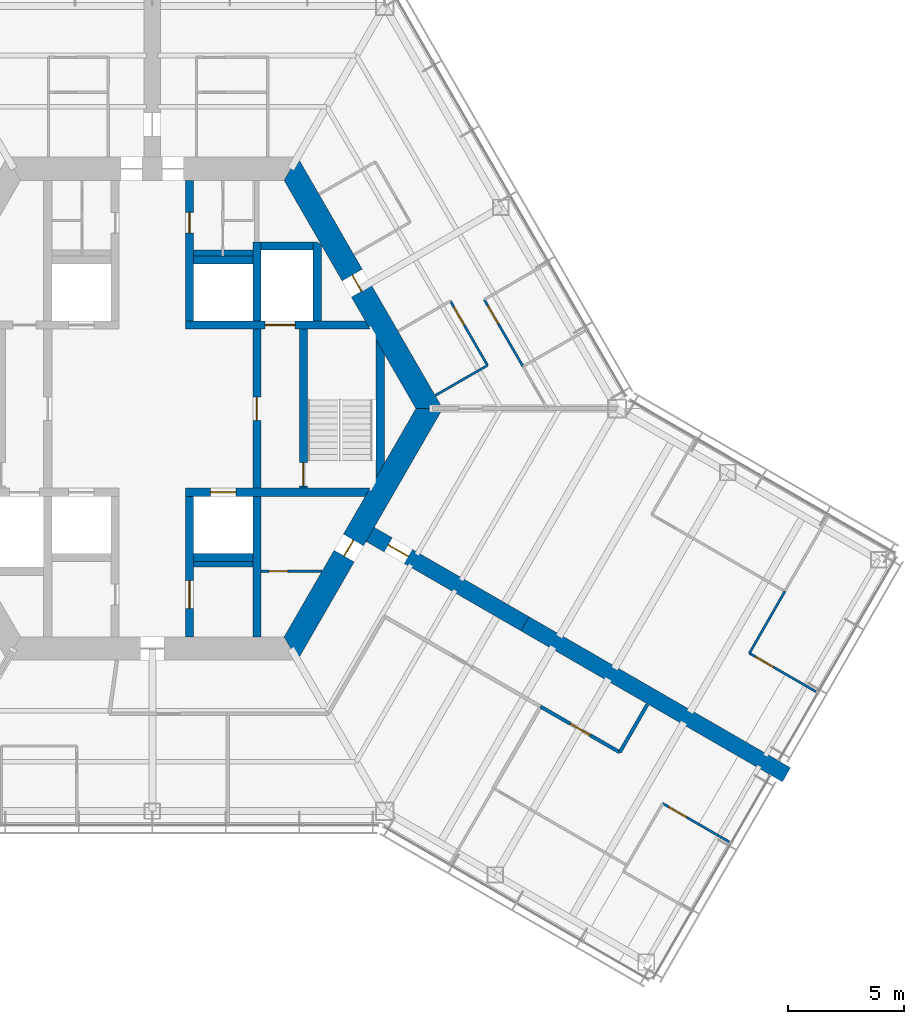
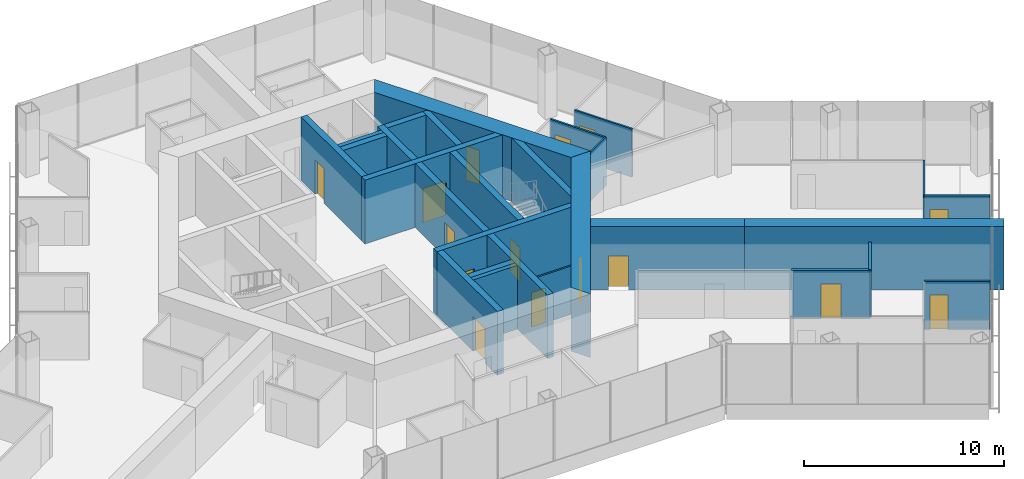
# One storey, part 13 of 18: 28 walls, 15 doors, 15 openings.
"""IFC4 building model written with IfcOpenShell, lengths in metres."""

from ifc_helpers import new_model, si_unit, direction, frame, frame_2d, origin, place, context, subcontext, project, spatial, polyline, rectangle, outline, extrude, material, layer, layer_set, type_object, element, fill, save


model = new_model("IFC4")

# Units and contexts
model_context = context("Model", 3, precision=1e-05, world=origin(), true_north=direction((0.0, 1.0)))
body_context = subcontext(model_context, "Body", "Model", "MODEL_VIEW")
ifc_project = project(units=[si_unit("LENGTHUNIT", "METRE"), si_unit("AREAUNIT", "SQUARE_METRE"), si_unit("VOLUMEUNIT", "CUBIC_METRE"), si_unit("PLANEANGLEUNIT", "RADIAN"), si_unit("MASSUNIT", "GRAM", prefix="KILO")], contexts=[model_context])

# Site, building, storey
site_placement = place(None, origin())
site = spatial("IfcSite", under=ifc_project, at=site_placement, CompositionType="ELEMENT")
building_placement = place(site_placement, origin())
building = spatial("IfcBuilding", under=site, at=building_placement, Name="Kasaneha Research Tower", CompositionType="ELEMENT")
storey_placement = place(building_placement, frame((0.0, 0.0, 176.0)))
storey = spatial("IfcBuildingStorey", under=building, at=storey_placement, Name="L44", CompositionType="ELEMENT", Elevation=176.0)

# Wall, opening, door
ifc_material_1 = material(Name="Concrete Fc70", Category="concrete")
ifc_layer_1 = layer(ifc_material_1, 0.35009765625)
ifc_layer_set_1 = layer_set([ifc_layer_1], Name="Core internal wall 350 Fc70")
wall_type_1 = type_object("IfcWallType", Name="Core internal wall 350 Fc70", PredefinedType="SHEAR", material=ifc_layer_set_1)
wall_1_placement = place(storey_placement, frame((1.425048828125, 3.60009765625, 0.0), z_axis=(0.0, 0.0, 1.0), x_axis=(1.0, 0.0, 0.0)))
wall_1 = element("IfcWall", 1, at=wall_1_placement, inside=storey, type_object=wall_type_1, Name="Core wall W1E L44", PredefinedType="SHEAR", context=body_context, shape_type="SweptSolid", body=[
    extrude(outline(polyline([(0.0, -0.175048828125), (3.425048828125, -0.175048828125), (4.72509765625, -0.175048828125), (7.9423828125, -0.175048828125), (7.740234375, 0.175048828125), (4.72509765625, 0.175048828125), (3.425048828125, 0.175048828125), (0.0, 0.175048828125), (0.0, -0.175048828125)])), origin(), (0.0, 0.0, 1.0), 3.89990234375),
])
opening_1_placement = place(wall_1_placement, frame((3.425048828125, 0.0, 0.0)))
opening_1 = element("IfcOpeningElement", 2, at=opening_1_placement, cuts=wall_1, Name="Opening LD-FL1-L44", PredefinedType="OPENING", context=body_context, shape_type="SweptSolid", body=[
    extrude(rectangle(XDim=1.300048828125, YDim=2.10009765625, at=frame_2d((0.64990234375, 1.050048828125))), frame((0.0, 0.18505859375, 0.0), z_axis=(0.0, -1.0, 0.0), x_axis=(1.0, 0.0, 0.0)), (0.0, 0.0, 1.0), 0.3701171875),
])
ifc_material_2 = material(Name="Steel", Category="steel")
door_type_1 = type_object("IfcDoorType", Name="Lift landing door 1300x2100", OperationType="DOUBLE_DOOR_SLIDING", PredefinedType="DOOR", material=ifc_material_2)
door_1_placement = place(opening_1_placement, origin())
door_1 = element("IfcDoor", 3, at=door_1_placement, inside=storey, type_object=door_type_1, Name="Landing door FL1 LD-FL1-L44", OperationType="DOUBLE_DOOR_SLIDING", OverallHeight=2.10009765625, OverallWidth=1.300048828125, PredefinedType="DOOR", context=body_context, shape_type="SweptSolid", body=[
    extrude(rectangle(XDim=1.300048828125, YDim=2.10009765625, at=frame_2d((0.64990234375, 1.050048828125))), frame((0.0, 0.02490234375, 0.0), z_axis=(0.0, -1.0, 0.0), x_axis=(1.0, 0.0, 0.0)), (0.0, 0.0, 1.0), 0.050048828125),
])
fill(opening_1, door_1)

wall_2_placement = place(storey_placement, frame((1.425048828125, -3.60009765625, 0.0), z_axis=(0.0, 0.0, 1.0), x_axis=(1.0, 0.0, 0.0)))
wall_2 = element("IfcWall", 4, at=wall_2_placement, inside=storey, type_object=wall_type_1, Name="Core wall W2E L44", PredefinedType="SHEAR", context=body_context, shape_type="SweptSolid", body=[
    extrude(outline(polyline([(0.0, -0.175048828125), (1.074951171875, -0.175048828125), (2.175048828125, -0.175048828125), (7.740234375, -0.175048828125), (7.9423828125, 0.175048828125), (2.175048828125, 0.175048828125), (1.074951171875, 0.175048828125), (0.0, 0.175048828125), (0.0, -0.175048828125)])), origin(), (0.0, 0.0, 1.0), 3.89990234375),
])
opening_2_placement = place(wall_2_placement, frame((1.074951171875, 0.0, 0.0)))
opening_2 = element("IfcOpeningElement", 5, at=opening_2_placement, cuts=wall_2, Name="Opening LD-LM2-L44", PredefinedType="OPENING", context=body_context, shape_type="SweptSolid", body=[
    extrude(rectangle(XDim=1.10009765625, YDim=2.10009765625, at=frame_2d((0.550048828125, 1.050048828125))), frame((0.0, 0.18505859375, 0.0), z_axis=(0.0, -1.0, 0.0), x_axis=(1.0, 0.0, 0.0)), (0.0, 0.0, 1.0), 0.3701171875),
])
ifc_material_3 = material(Name="Steel", Category="steel")
door_type_2 = type_object("IfcDoorType", Name="Lift landing door 1100x2100", OperationType="DOUBLE_DOOR_SLIDING", PredefinedType="DOOR", material=ifc_material_3)
door_2_placement = place(opening_2_placement, origin())
door_2 = element("IfcDoor", 6, at=door_2_placement, inside=storey, type_object=door_type_2, Name="Landing door LM2 LD-LM2-L44", OperationType="DOUBLE_DOOR_SLIDING", OverallHeight=2.10009765625, OverallWidth=1.10009765625, PredefinedType="DOOR", context=body_context, shape_type="SweptSolid", body=[
    extrude(rectangle(XDim=1.10009765625, YDim=2.10009765625, at=frame_2d((0.550048828125, 1.050048828125))), frame((0.0, 0.02490234375, 0.0), z_axis=(0.0, -1.0, 0.0), x_axis=(1.0, 0.0, 0.0)), (0.0, 0.0, 1.0), 0.050048828125),
])
fill(opening_2, door_2)

wall_3_placement = place(storey_placement, frame((1.60009765625, 3.77490234375, 0.0), z_axis=(0.0, 0.0, 1.0), x_axis=(0.0, 1.0, 0.0)))
wall_3 = element("IfcWall", 7, at=wall_3_placement, inside=storey, type_object=wall_type_1, Name="Core wall CNE L44", PredefinedType="SHEAR", context=body_context, shape_type="SweptSolid", body=[
    extrude(rectangle(XDim=6.050048828125, YDim=0.35009765625, at=frame_2d((3.02490234375, 0.0))), origin(), (0.0, 0.0, 1.0), 3.89990234375),
])
opening_3_placement = place(wall_3_placement, frame((3.77490234375, 0.0, 0.0)))
opening_3 = element("IfcOpeningElement", 8, at=opening_3_placement, cuts=wall_3, Name="Opening L44-D14", PredefinedType="OPENING", context=body_context, shape_type="SweptSolid", body=[
    extrude(rectangle(XDim=0.89990234375, YDim=2.10009765625, at=frame_2d((0.449951171875, 1.050048828125))), frame((0.0, 0.18505859375, 0.0), z_axis=(0.0, -1.0, 0.0), x_axis=(1.0, 0.0, 0.0)), (0.0, 0.0, 1.0), 0.3701171875),
])
ifc_material_4 = material(Name="Steel", Category="steel")
door_type_3 = type_object("IfcDoorType", Name="Toilet door FD20 900x2100", OperationType="NOTDEFINED", PredefinedType="DOOR", material=ifc_material_4)
door_3_placement = place(opening_3_placement, origin())
door_3 = element("IfcDoor", 9, at=door_3_placement, inside=storey, type_object=door_type_3, Name="Women's WC door L44-D14", OperationType="SINGLE_SWING_LEFT", OverallHeight=2.10009765625, OverallWidth=0.89990234375, PredefinedType="DOOR", context=body_context, shape_type="SweptSolid", body=[
    extrude(rectangle(XDim=0.89990234375, YDim=2.10009765625, at=frame_2d((0.449951171875, 1.050048828125))), frame((0.0, 0.02490234375, 0.0), z_axis=(0.0, -1.0, 0.0), x_axis=(1.0, 0.0, 0.0)), (0.0, 0.0, 1.0), 0.050048828125),
])
fill(opening_3, door_3)

wall_4_placement = place(storey_placement, frame((1.60009765625, -3.77490234375, 0.0), z_axis=(0.0, 0.0, 1.0), x_axis=(0.0, -1.0, 0.0)))
wall_4 = element("IfcWall", 10, at=wall_4_placement, inside=storey, type_object=wall_type_1, Name="Core wall CSE L44", PredefinedType="SHEAR", context=body_context, shape_type="SweptSolid", body=[
    extrude(rectangle(XDim=6.050048828125, YDim=0.35009765625, at=frame_2d((3.02490234375, 0.0))), origin(), (0.0, 0.0, 1.0), 3.89990234375),
])
opening_4_placement = place(wall_4_placement, frame((3.625, 0.0, 0.0)))
opening_4 = element("IfcOpeningElement", 11, at=opening_4_placement, cuts=wall_4, Name="Opening L44-D15", PredefinedType="OPENING", context=body_context, shape_type="SweptSolid", body=[
    extrude(rectangle(XDim=1.199951171875, YDim=2.10009765625, at=frame_2d((0.60009765625, 1.050048828125))), frame((0.0, 0.18505859375, 0.0), z_axis=(0.0, -1.0, 0.0), x_axis=(1.0, 0.0, 0.0)), (0.0, 0.0, 1.0), 0.3701171875),
])
ifc_material_5 = material(Name="Steel", Category="steel")
door_type_4 = type_object("IfcDoorType", Name="Accessible toilet sliding door FD20 1200x2100", OperationType="SLIDING_TO_LEFT", PredefinedType="DOOR", material=ifc_material_5)
door_4_placement = place(opening_4_placement, origin())
door_4 = element("IfcDoor", 12, at=door_4_placement, inside=storey, type_object=door_type_4, Name="Accessible WC door L44-D15", OperationType="SLIDING_TO_LEFT", OverallHeight=2.10009765625, OverallWidth=1.199951171875, PredefinedType="DOOR", context=body_context, shape_type="SweptSolid", body=[
    extrude(rectangle(XDim=1.199951171875, YDim=2.10009765625, at=frame_2d((0.60009765625, 1.050048828125))), frame((0.0, 0.02490234375, 0.0), z_axis=(0.0, -1.0, 0.0), x_axis=(1.0, 0.0, 0.0)), (0.0, 0.0, 1.0), 0.050048828125),
])
fill(opening_4, door_4)

wall_5_placement = place(storey_placement, frame((4.5, -3.425048828125, 0.0), z_axis=(0.0, 0.0, 1.0), x_axis=(0.0, 1.0, 0.0)))
wall_5 = element("IfcWall", 13, at=wall_5_placement, inside=storey, type_object=wall_type_1, Name="Core wall LBE L44", PredefinedType="SHEAR", context=body_context, shape_type="SweptSolid", body=[
    extrude(rectangle(XDim=6.85009765625, YDim=0.35009765625, at=frame_2d((3.425048828125, 0.0))), origin(), (0.0, 0.0, 1.0), 3.89990234375),
])
opening_5_placement = place(wall_5_placement, frame((2.925048828125, 0.0, 0.0)))
opening_5 = element("IfcOpeningElement", 14, at=opening_5_placement, cuts=wall_5, Name="Opening L44-D08", PredefinedType="OPENING", context=body_context, shape_type="SweptSolid", body=[
    extrude(rectangle(XDim=1.0, YDim=2.10009765625, at=frame_2d((0.5, 1.050048828125))), frame((0.0, 0.18505859375, 0.0), z_axis=(0.0, -1.0, 0.0), x_axis=(1.0, 0.0, 0.0)), (0.0, 0.0, 1.0), 0.3701171875),
])
ifc_material_6 = material(Name="Steel", Category="steel")
door_type_5 = type_object("IfcDoorType", Name="Specified fire door FD60 1000x2100", OperationType="NOTDEFINED", PredefinedType="DOOR", material=ifc_material_6)
door_5_placement = place(opening_5_placement, origin())
door_5 = element("IfcDoor", 15, at=door_5_placement, inside=storey, type_object=door_type_5, Name="Lift lobby door east L44-D08", OperationType="SINGLE_SWING_LEFT", OverallHeight=2.10009765625, OverallWidth=1.0, PredefinedType="DOOR", context=body_context, shape_type="SweptSolid", body=[
    extrude(rectangle(XDim=1.0, YDim=2.10009765625, at=frame_2d((0.5, 1.050048828125))), frame((0.0, 0.02490234375, 0.0), z_axis=(0.0, -1.0, 0.0), x_axis=(1.0, 0.0, 0.0)), (0.0, 0.0, 1.0), 0.050048828125),
])
fill(opening_5, door_5)

wall_6_placement = place(storey_placement, frame((6.5, -3.425048828125, 0.0), z_axis=(0.0, 0.0, 1.0), x_axis=(0.0, 1.0, 0.0)))
wall_6 = element("IfcWall", 16, at=wall_6_placement, inside=storey, type_object=wall_type_1, Name="Core wall ANE L44", PredefinedType="SHEAR", context=body_context, shape_type="SweptSolid", body=[
    extrude(rectangle(XDim=6.85009765625, YDim=0.35009765625, at=frame_2d((3.425048828125, 0.0))), origin(), (0.0, 0.0, 1.0), 3.89990234375),
])
opening_6_placement = place(wall_6_placement, frame((0.10009765625, 0.0, 0.0)))
opening_6 = element("IfcOpeningElement", 17, at=opening_6_placement, cuts=wall_6, Name="Opening L44-D10", PredefinedType="OPENING", context=body_context, shape_type="SweptSolid", body=[
    extrude(rectangle(XDim=1.0, YDim=2.10009765625, at=frame_2d((0.5, 1.050048828125))), frame((0.0, 0.18505859375, 0.0), z_axis=(0.0, -1.0, 0.0), x_axis=(1.0, 0.0, 0.0)), (0.0, 0.0, 1.0), 0.3701171875),
])
door_6_placement = place(opening_6_placement, origin())
door_6 = element("IfcDoor", 18, at=door_6_placement, inside=storey, type_object=door_type_5, Name="Stair 1 door L44-D10", OperationType="SINGLE_SWING_LEFT", OverallHeight=2.10009765625, OverallWidth=1.0, PredefinedType="DOOR", context=body_context, shape_type="SweptSolid", body=[
    extrude(rectangle(XDim=1.0, YDim=2.10009765625, at=frame_2d((0.5, 1.050048828125))), frame((0.0, 0.02490234375, 0.0), z_axis=(0.0, -1.0, 0.0), x_axis=(1.0, 0.0, 0.0)), (0.0, 0.0, 1.0), 0.050048828125),
])
fill(opening_6, door_6)

# Walls
wall_7_placement = place(storey_placement, frame((4.5, 3.77490234375, 0.0), z_axis=(0.0, 0.0, 1.0), x_axis=(0.0, 1.0, 0.0)))
element("IfcWall", 19, at=wall_7_placement, inside=storey, type_object=wall_type_1, Name="Core wall FNE L44", PredefinedType="SHEAR", context=body_context, shape_type="SweptSolid", body=[
    extrude(rectangle(XDim=3.400146484375, YDim=0.35009765625, at=frame_2d((1.7001953125, 0.0))), origin(), (0.0, 0.0, 1.0), 3.89990234375),
])
wall_8_placement = place(storey_placement, frame((4.5, -3.77490234375, 0.0), z_axis=(0.0, 0.0, 1.0), x_axis=(0.0, -1.0, 0.0)))
element("IfcWall", 20, at=wall_8_placement, inside=storey, type_object=wall_type_1, Name="Core wall SSE L44", PredefinedType="SHEAR", context=body_context, shape_type="SweptSolid", body=[
    extrude(rectangle(XDim=6.050048828125, YDim=0.35009765625, at=frame_2d((3.02490234375, 0.0))), origin(), (0.0, 0.0, 1.0), 3.89990234375),
])
for number, where, z_axis, x_axis, name in (
    (21, (1.77490234375, 6.39990234375, 0.0), (0.0, 0.0, 1.0), (1.0, 0.0, 0.0), "Core wall N3N L44"),
    (22, (1.77490234375, -6.39990234375, 0.0), (0.0, 0.0, 1.0), (1.0, 0.0, 0.0), "Core wall S3S L44"),
):
    element("IfcWall", number, at=place(storey_placement, frame(where, z_axis=z_axis, x_axis=x_axis)), inside=storey, type_object=wall_type_1, Name=name, PredefinedType="SHEAR", context=body_context, shape_type="SweptSolid", body=[
        extrude(rectangle(XDim=2.550048828125, YDim=0.35009765625, at=frame_2d((1.27490234375, 0.0))), origin(), (0.0, 0.0, 1.0), 3.89990234375),
    ])
wall_9_placement = place(storey_placement, frame((4.675048828125, 7.0, 0.0), z_axis=(0.0, 0.0, 1.0), x_axis=(1.0, 0.0, 0.0)))
element("IfcWall", 23, at=wall_9_placement, inside=storey, type_object=wall_type_1, Name="Core wall F1N L44", PredefinedType="SHEAR", context=body_context, shape_type="SweptSolid", body=[
    extrude(rectangle(XDim=2.25, YDim=0.35009765625, at=frame_2d((1.125, 0.0))), origin(), (0.0, 0.0, 1.0), 3.89990234375),
])
wall_10_placement = place(storey_placement, frame((7.10009765625, 3.77490234375, 0.0), z_axis=(0.0, 0.0, 1.0), x_axis=(0.0, 1.0, 0.0)))
element("IfcWall", 24, at=wall_10_placement, inside=storey, type_object=wall_type_1, Name="Core wall F1E L44", PredefinedType="SHEAR", context=body_context, shape_type="SweptSolid", body=[
    extrude(outline(polyline([(0.0, -0.175048828125), (3.2744140625, -0.175048828125), (3.400146484375, 0.0), (3.400146484375, 0.175048828125), (0.0, 0.175048828125), (0.0, -0.175048828125)])), origin(), (0.0, 0.0, 1.0), 3.89990234375),
])
wall_11_placement = place(storey_placement, frame((9.807861328125, -2.662353515625, 0.0), z_axis=(0.0, 0.0, 1.0), x_axis=(0.0, 1.0, 0.0)))
element("IfcWall", 25, at=wall_11_placement, inside=storey, type_object=wall_type_1, Name="Core wall STE L44", PredefinedType="SHEAR", context=body_context, shape_type="SweptSolid", body=[
    extrude(outline(polyline([(0.30322265625, -0.175048828125), (5.021484375, -0.175048828125), (5.6279296875, 0.175048828125), (-0.30322265625, 0.175048828125), (0.30322265625, -0.175048828125)])), origin(), (0.0, 0.0, 1.0), 3.89990234375),
])

# Wall, opening, door
ifc_material_7 = material(Name="Concrete Fc70", Category="concrete")
ifc_layer_2 = layer(ifc_material_7, 1.0)
ifc_layer_set_2 = layer_set([ifc_layer_2], Name="Core wall 1000 Fc70")
wall_type_2 = type_object("IfcWallType", Name="Core wall 1000 Fc70", PredefinedType="SHEAR", material=ifc_layer_set_2)
wall_12_placement = place(storey_placement, frame((11.92236328125, 0.0, 0.0), z_axis=(0.0, 0.0, 1.0), x_axis=(-0.500004296715, 0.866022923061, 0.0)))
wall_12 = element("IfcWall", 26, at=wall_12_placement, inside=storey, type_object=wall_type_2, Name="Core wall 030 L44", PredefinedType="SHEAR", context=body_context, shape_type="SweptSolid", body=[
    extrude(outline(polyline([(-0.28857421875, -0.5), (5.83544921875, -0.5), (6.635498046875, -0.5), (12.2109375, -0.5), (11.6337890625, 0.5), (6.635498046875, 0.5), (5.83544921875, 0.5), (0.28857421875, 0.5), (-0.28857421875, -0.5)])), origin(), (0.0, 0.0, 1.0), 3.89990234375),
])
opening_7_placement = place(wall_12_placement, frame((5.83544921875, 0.0, 0.0)))
opening_7 = element("IfcOpeningElement", 27, at=opening_7_placement, cuts=wall_12, Name="Opening L44-D04", PredefinedType="OPENING", context=body_context, shape_type="SweptSolid", body=[
    extrude(rectangle(XDim=0.800048828125, YDim=2.10009765625, at=frame_2d((0.39990234375, 1.050048828125))), frame((0.0, 0.510009765625, 0.0), z_axis=(0.0, -1.0, 0.0), x_axis=(1.0, 0.0, 0.0)), (0.0, 0.0, 1.0), 1.02001953125),
])
ifc_material_8 = material(Name="Steel", Category="steel")
door_type_6 = type_object("IfcDoorType", Name="Riser access door FD60 800x2100", OperationType="NOTDEFINED", PredefinedType="DOOR", material=ifc_material_8)
door_7_placement = place(opening_7_placement, origin())
door_7 = element("IfcDoor", 28, at=door_7_placement, inside=storey, type_object=door_type_6, Name="Pipe riser door L44-D04", OperationType="SINGLE_SWING_RIGHT", OverallHeight=2.10009765625, OverallWidth=0.800048828125, PredefinedType="DOOR", context=body_context, shape_type="SweptSolid", body=[
    extrude(rectangle(XDim=0.800048828125, YDim=2.10009765625, at=frame_2d((0.39990234375, 1.050048828125))), frame((0.0, 0.02490234375, 0.0), z_axis=(0.0, -1.0, 0.0), x_axis=(1.0, 0.0, 0.0)), (0.0, 0.0, 1.0), 0.050048828125),
])
fill(opening_7, door_7)

wall_13_placement = place(storey_placement, frame((5.961181640625, -10.324951171875, 0.0), z_axis=(0.0, 0.0, 1.0), x_axis=(0.500004296715, 0.866022923061, 0.0)))
wall_13 = element("IfcWall", 29, at=wall_13_placement, inside=storey, type_object=wall_type_2, Name="Core wall 330 L44", PredefinedType="SHEAR", context=body_context, shape_type="SweptSolid", body=[
    extrude(outline(polyline([(-0.28857421875, -0.5), (4.593994140625, -0.5), (5.39404296875, -0.5), (12.2109375, -0.5), (11.6337890625, 0.5), (5.39404296875, 0.5), (4.593994140625, 0.5), (0.28857421875, 0.5), (-0.28857421875, -0.5)])), origin(), (0.0, 0.0, 1.0), 3.89990234375),
])
opening_8_placement = place(wall_13_placement, frame((4.593994140625, 0.0, 0.0)))
opening_8 = element("IfcOpeningElement", 30, at=opening_8_placement, cuts=wall_13, Name="Opening L44-D05", PredefinedType="OPENING", context=body_context, shape_type="SweptSolid", body=[
    extrude(rectangle(XDim=0.800048828125, YDim=2.10009765625, at=frame_2d((0.39990234375, 1.050048828125))), frame((0.0, 0.510009765625, 0.0), z_axis=(0.0, -1.0, 0.0), x_axis=(1.0, 0.0, 0.0)), (0.0, 0.0, 1.0), 1.02001953125),
])
door_8_placement = place(opening_8_placement, origin())
door_8 = element("IfcDoor", 31, at=door_8_placement, inside=storey, type_object=door_type_6, Name="Pipe riser door L44-D05", OperationType="SINGLE_SWING_LEFT", OverallHeight=2.10009765625, OverallWidth=0.800048828125, PredefinedType="DOOR", context=body_context, shape_type="SweptSolid", body=[
    extrude(rectangle(XDim=0.800048828125, YDim=2.10009765625, at=frame_2d((0.39990234375, 1.050048828125))), frame((0.0, 0.02490234375, 0.0), z_axis=(0.0, -1.0, 0.0), x_axis=(1.0, 0.0, 0.0)), (0.0, 0.0, 1.0), 0.050048828125),
])
fill(opening_8, door_8)

ifc_material_9 = material(Name="Gypsum board on steel studs, one layer each side", Category="steel")
ifc_layer_3 = layer(ifc_material_9, 0.10009765625)
ifc_layer_set_3 = layer_set([ifc_layer_3], Name="Office partition 100")
wall_type_3 = type_object("IfcWallType", Name="Office partition 100", PredefinedType="PARTITIONING", material=ifc_layer_set_3)
wall_14_placement = place(storey_placement, frame((4.675048828125, -7.0, 0.0), z_axis=(0.0, 0.0, 1.0), x_axis=(1.0, 0.0, 0.0)))
wall_14 = element("IfcWall", 32, at=wall_14_placement, inside=storey, type_object=wall_type_3, Name="Office partition RS-SE L44", PredefinedType="PARTITIONING", context=body_context, shape_type="SweptSolid", body=[
    extrude(outline(polyline([(0.0, -0.050048828125), (0.35009765625, -0.050048828125), (1.150146484375, -0.050048828125), (2.599609375, -0.050048828125), (2.62841796875, 0.0), (2.63427734375, 0.050048828125), (1.150146484375, 0.050048828125), (0.35009765625, 0.050048828125), (0.0, 0.050048828125), (0.0, -0.050048828125)])), origin(), (0.0, 0.0, 1.0), 2.949951171875),
])
opening_9_placement = place(wall_14_placement, frame((0.35009765625, 0.0, 0.0)))
opening_9 = element("IfcOpeningElement", 33, at=opening_9_placement, cuts=wall_14, Name="Opening L44-D24", PredefinedType="OPENING", context=body_context, shape_type="SweptSolid", body=[
    extrude(rectangle(XDim=0.800048828125, YDim=2.10009765625, at=frame_2d((0.39990234375, 1.050048828125))), frame((0.0, 0.06005859375, 0.0), z_axis=(0.0, -1.0, 0.0), x_axis=(1.0, 0.0, 0.0)), (0.0, 0.0, 1.0), 0.1201171875),
])
door_9_placement = place(opening_9_placement, origin())
door_9 = element("IfcDoor", 34, at=door_9_placement, inside=storey, type_object=door_type_6, Name="Drainage riser door L44-D24", OperationType="SINGLE_SWING_LEFT", OverallHeight=2.10009765625, OverallWidth=0.800048828125, PredefinedType="DOOR", context=body_context, shape_type="SweptSolid", body=[
    extrude(rectangle(XDim=0.800048828125, YDim=2.10009765625, at=frame_2d((0.39990234375, 1.050048828125))), frame((0.0, 0.02490234375, 0.0), z_axis=(0.0, -1.0, 0.0), x_axis=(1.0, 0.0, 0.0)), (0.0, 0.0, 1.0), 0.050048828125),
])
fill(opening_9, door_9)

wall_15_placement = place(storey_placement, frame((12.826416015625, 4.634033203125, 0.0), z_axis=(0.0, 0.0, 1.0), x_axis=(0.500028443584, -0.866008981251, 0.0)))
wall_15 = element("IfcWall", 35, at=wall_15_placement, inside=storey, type_object=wall_type_3, Name="Office partition FAE11 L44", PredefinedType="PARTITIONING", context=body_context, shape_type="SweptSolid", body=[
    extrude(rectangle(XDim=3.199951171875, YDim=0.10009765625, at=frame_2d((1.60009765625, 0.0))), origin(), (0.0, 0.0, 1.0), 2.949951171875),
])
opening_10_placement = place(wall_15_placement, frame((0.300048828125, 0.0, 0.0)))
opening_10 = element("IfcOpeningElement", 36, at=opening_10_placement, cuts=wall_15, Name="Opening L44-D30", PredefinedType="OPENING", context=body_context, shape_type="SweptSolid", body=[
    extrude(rectangle(XDim=0.89990234375, YDim=2.10009765625, at=frame_2d((0.449951171875, 1.050048828125))), frame((0.0, 0.06005859375, 0.0), z_axis=(0.0, -1.0, 0.0), x_axis=(1.0, 0.0, 0.0)), (0.0, 0.0, 1.0), 0.1201171875),
])
ifc_material_10 = material(Name="Timber veneer", Category="wood")
door_type_7 = type_object("IfcDoorType", Name="Office door 900x2100", OperationType="SINGLE_SWING_LEFT", PredefinedType="DOOR", material=ifc_material_10)
door_10_placement = place(opening_10_placement, origin())
door_10 = element("IfcDoor", 37, at=door_10_placement, inside=storey, type_object=door_type_7, Name="Mail room door L44-D30", OperationType="SINGLE_SWING_LEFT", OverallHeight=2.10009765625, OverallWidth=0.89990234375, PredefinedType="DOOR", context=body_context, shape_type="SweptSolid", body=[
    extrude(rectangle(XDim=0.89990234375, YDim=2.10009765625, at=frame_2d((0.449951171875, 1.050048828125))), frame((0.0, 0.02490234375, 0.0), z_axis=(0.0, -1.0, 0.0), x_axis=(1.0, 0.0, 0.0)), (0.0, 0.0, 1.0), 0.050048828125),
])
fill(opening_10, door_10)

# Wall
wall_16_placement = place(storey_placement, frame((14.426513671875, 1.86279296875, 0.0), z_axis=(0.0, 0.0, 1.0), x_axis=(-0.866045356598, -0.49996543912, 0.0)))
element("IfcWall", 38, at=wall_16_placement, inside=storey, type_object=wall_type_3, Name="Office partition FAE12 L44", PredefinedType="PARTITIONING", context=body_context, shape_type="SweptSolid", body=[
    extrude(rectangle(XDim=2.580322265625, YDim=0.10009765625, at=frame_2d((1.2900390625, 0.0))), origin(), (0.0, 0.0, 1.0), 2.949951171875),
])

# Wall, opening, door
wall_17_placement = place(storey_placement, frame((15.956298828125, 1.812744140625, 0.0), z_axis=(0.0, 0.0, 1.0), x_axis=(-0.501111387448, 0.865382792393, 0.0)))
wall_17 = element("IfcWall", 39, at=wall_17_placement, inside=storey, type_object=wall_type_3, Name="Office partition FAE15 L44", PredefinedType="PARTITIONING", context=body_context, shape_type="SweptSolid", body=[
    extrude(rectangle(XDim=3.3310546875, YDim=0.10009765625, at=frame_2d((1.66552734375, 0.0))), origin(), (0.0, 0.0, 1.0), 2.949951171875),
])
opening_11_placement = place(wall_17_placement, frame((2.130859375, 0.0, 0.0)))
opening_11 = element("IfcOpeningElement", 40, at=opening_11_placement, cuts=wall_17, Name="Opening L44-D31", PredefinedType="OPENING", context=body_context, shape_type="SweptSolid", body=[
    extrude(rectangle(XDim=0.89990234375, YDim=2.10009765625, at=frame_2d((0.449951171875, 1.050048828125))), frame((0.0, 0.06005859375, 0.0), z_axis=(0.0, -1.0, 0.0), x_axis=(1.0, 0.0, 0.0)), (0.0, 0.0, 1.0), 0.1201171875),
])
door_11_placement = place(opening_11_placement, origin())
door_11 = element("IfcDoor", 41, at=door_11_placement, inside=storey, type_object=door_type_7, Name="Workroom door L44-D31", OperationType="SINGLE_SWING_RIGHT", OverallHeight=2.10009765625, OverallWidth=0.89990234375, PredefinedType="DOOR", context=body_context, shape_type="SweptSolid", body=[
    extrude(rectangle(XDim=0.89990234375, YDim=2.10009765625, at=frame_2d((0.449951171875, 1.050048828125))), frame((0.0, 0.02490234375, 0.0), z_axis=(0.0, -1.0, 0.0), x_axis=(1.0, 0.0, 0.0)), (0.0, 0.0, 1.0), 0.050048828125),
])
fill(opening_11, door_11)

# Wall
wall_18_placement = place(storey_placement, frame((25.7001953125, -10.527099609375, 0.0), z_axis=(0.0, 0.0, 1.0), x_axis=(0.497097650811, 0.867694603855, 0.0)))
element("IfcWall", 42, at=wall_18_placement, inside=storey, type_object=wall_type_3, Name="Office partition FCE04 L44", PredefinedType="PARTITIONING", context=body_context, shape_type="SweptSolid", body=[
    extrude(rectangle(XDim=3.070556640625, YDim=0.10009765625, at=frame_2d((1.53515625, 0.0))), origin(), (0.0, 0.0, 1.0), 2.949951171875),
])

# Wall, opening, door
wall_19_placement = place(storey_placement, frame((28.5625, -12.1796875, 0.0), z_axis=(0.0, 0.0, 1.0), x_axis=(-0.866020751647, 0.500008057651, 0.0)))
wall_19 = element("IfcWall", 43, at=wall_19_placement, inside=storey, type_object=wall_type_3, Name="Office partition FCE05 L44", PredefinedType="PARTITIONING", context=body_context, shape_type="SweptSolid", body=[
    extrude(rectangle(XDim=3.30517578125, YDim=0.10009765625, at=frame_2d((1.652587890625, 0.0))), origin(), (0.0, 0.0, 1.0), 2.949951171875),
])
opening_12_placement = place(wall_19_placement, frame((2.10498046875, 0.0, 0.0)))
opening_12 = element("IfcOpeningElement", 44, at=opening_12_placement, cuts=wall_19, Name="Opening L44-D43", PredefinedType="OPENING", context=body_context, shape_type="SweptSolid", body=[
    extrude(rectangle(XDim=0.89990234375, YDim=2.10009765625, at=frame_2d((0.449951171875, 1.050048828125))), frame((0.0, 0.06005859375, 0.0), z_axis=(0.0, -1.0, 0.0), x_axis=(1.0, 0.0, 0.0)), (0.0, 0.0, 1.0), 0.1201171875),
])
door_12_placement = place(opening_12_placement, origin())
door_12 = element("IfcDoor", 45, at=door_12_placement, inside=storey, type_object=door_type_7, Name="Meeting room door L44-D43", OperationType="SINGLE_SWING_RIGHT", OverallHeight=2.10009765625, OverallWidth=0.89990234375, PredefinedType="DOOR", context=body_context, shape_type="SweptSolid", body=[
    extrude(rectangle(XDim=0.89990234375, YDim=2.10009765625, at=frame_2d((0.449951171875, 1.050048828125))), frame((0.0, 0.02490234375, 0.0), z_axis=(0.0, -1.0, 0.0), x_axis=(1.0, 0.0, 0.0)), (0.0, 0.0, 1.0), 0.050048828125),
])
fill(opening_12, door_12)

wall_20_placement = place(storey_placement, frame((21.966796875, -16.993408203125, 0.0), z_axis=(0.0, 0.0, 1.0), x_axis=(0.866020751647, -0.500008057651, 0.0)))
wall_20 = element("IfcWall", 46, at=wall_20_placement, inside=storey, type_object=wall_type_3, Name="Office partition FCS16 L44", PredefinedType="PARTITIONING", context=body_context, shape_type="SweptSolid", body=[
    extrude(rectangle(XDim=3.30517578125, YDim=0.10009765625, at=frame_2d((1.652587890625, 0.0))), origin(), (0.0, 0.0, 1.0), 2.949951171875),
])
opening_13_placement = place(wall_20_placement, frame((0.300048828125, 0.0, 0.0)))
opening_13 = element("IfcOpeningElement", 47, at=opening_13_placement, cuts=wall_20, Name="Opening L44-D49", PredefinedType="OPENING", context=body_context, shape_type="SweptSolid", body=[
    extrude(rectangle(XDim=0.89990234375, YDim=2.10009765625, at=frame_2d((0.449951171875, 1.050048828125))), frame((0.0, 0.06005859375, 0.0), z_axis=(0.0, -1.0, 0.0), x_axis=(1.0, 0.0, 0.0)), (0.0, 0.0, 1.0), 0.1201171875),
])
door_13_placement = place(opening_13_placement, origin())
door_13 = element("IfcDoor", 48, at=door_13_placement, inside=storey, type_object=door_type_7, Name="Meeting room door L44-D49", OperationType="SINGLE_SWING_LEFT", OverallHeight=2.10009765625, OverallWidth=0.89990234375, PredefinedType="DOOR", context=body_context, shape_type="SweptSolid", body=[
    extrude(rectangle(XDim=0.89990234375, YDim=2.10009765625, at=frame_2d((0.449951171875, 1.050048828125))), frame((0.0, 0.02490234375, 0.0), z_axis=(0.0, -1.0, 0.0), x_axis=(1.0, 0.0, 0.0)), (0.0, 0.0, 1.0), 0.050048828125),
])
fill(opening_13, door_13)

ifc_material_11 = material(Name="Concrete Fc70", Category="concrete")
ifc_layer_4 = layer(ifc_material_11, 0.699951171875)
ifc_layer_set_4 = layer_set([ifc_layer_4], Name="Spine wall 700 Fc70")
wall_type_4 = type_object("IfcWallType", Name="Spine wall 700 Fc70", PredefinedType="SHEAR", material=ifc_layer_set_4)
wall_21_placement = place(storey_placement, frame((9.374755859375, -5.41259765625, 0.0), z_axis=(0.0, 0.0, 1.0), x_axis=(0.866032377459, -0.499987921047, 0.0)))
wall_21 = element("IfcWall", 49, at=wall_21_placement, inside=storey, type_object=wall_type_4, Name="Spine wall C L44", PredefinedType="SHEAR", context=body_context, shape_type="SweptSolid", body=[
    extrude(rectangle(XDim=7.695556640625, YDim=0.699951171875, at=frame_2d((3.84765625, 0.0))), origin(), (0.0, 0.0, 1.0), 3.89990234375),
])
opening_14_placement = place(wall_21_placement, frame((0.89990234375, 0.0, 0.0)))
opening_14 = element("IfcOpeningElement", 50, at=opening_14_placement, cuts=wall_21, Name="Opening L44-D19", PredefinedType="OPENING", context=body_context, shape_type="SweptSolid", body=[
    extrude(rectangle(XDim=1.0, YDim=2.10009765625, at=frame_2d((0.5, 1.050048828125))), frame((0.0, 0.35986328125, 0.0), z_axis=(0.0, -1.0, 0.0), x_axis=(1.0, 0.0, 0.0)), (0.0, 0.0, 1.0), 0.719970703125),
])
door_14_placement = place(opening_14_placement, origin())
door_14 = element("IfcDoor", 51, at=door_14_placement, inside=storey, type_object=door_type_5, Name="Spine doorway C L44-D19", OperationType="SINGLE_SWING_LEFT", OverallHeight=2.10009765625, OverallWidth=1.0, PredefinedType="DOOR", context=body_context, shape_type="SweptSolid", body=[
    extrude(rectangle(XDim=1.0, YDim=2.10009765625, at=frame_2d((0.5, 1.050048828125))), frame((0.0, 0.02490234375, 0.0), z_axis=(0.0, -1.0, 0.0), x_axis=(1.0, 0.0, 0.0)), (0.0, 0.0, 1.0), 0.050048828125),
])
fill(opening_14, door_14)

# Wall
wall_22_placement = place(storey_placement, frame((16.039306640625, -9.26025390625, 0.0), z_axis=(0.0, 0.0, 1.0), x_axis=(0.866024837091, -0.50000098154, 0.0)))
element("IfcWall", 52, at=wall_22_placement, inside=storey, type_object=wall_type_4, Name="Spine wall C wing L44", PredefinedType="SHEAR", context=body_context, shape_type="SweptSolid", body=[
    extrude(rectangle(XDim=13.0, YDim=0.699951171875, at=frame_2d((6.5, 0.0))), origin(), (0.0, 0.0, 1.0), 3.89990234375),
])

# Wall, opening, door
ifc_material_12 = material(Name="Gypsum board on steel studs, two layers each side", Category="steel")
ifc_layer_5 = layer(ifc_material_12, 0.14990234375)
ifc_layer_set_5 = layer_set([ifc_layer_5], Name="Suite partition 150")
wall_type_5 = type_object("IfcWallType", Name="Suite partition 150", PredefinedType="PARTITIONING", material=ifc_layer_set_5)
wall_23_placement = place(storey_placement, frame((20.1201171875, -14.791748046875, 0.0), z_axis=(0.0, 0.0, 1.0), x_axis=(-0.866038848349, 0.499976712608, 0.0)))
wall_23 = element("IfcWall", 53, at=wall_23_placement, inside=storey, type_object=wall_type_5, Name="Suite partition FCS06 L44", PredefinedType="PARTITIONING", context=body_context, shape_type="SweptSolid", body=[
    extrude(rectangle(XDim=3.934326171875, YDim=0.14990234375, at=frame_2d((1.96728515625, 0.0))), origin(), (0.0, 0.0, 1.0), 2.949951171875),
])
opening_15_placement = place(wall_23_placement, frame((1.467041015625, 0.0, 0.0)))
opening_15 = element("IfcOpeningElement", 54, at=opening_15_placement, cuts=wall_23, Name="Opening L44-D46", PredefinedType="OPENING", context=body_context, shape_type="SweptSolid", body=[
    extrude(rectangle(XDim=1.0, YDim=2.10009765625, at=frame_2d((0.5, 1.050048828125))), frame((0.0, 0.0849609375, 0.0), z_axis=(0.0, -1.0, 0.0), x_axis=(1.0, 0.0, 0.0)), (0.0, 0.0, 1.0), 0.169921875),
])
ifc_material_13 = material(Name="Steel", Category="steel")
door_type_8 = type_object("IfcDoorType", Name="Suite entrance door FD60 1000x2100", OperationType="NOTDEFINED", PredefinedType="DOOR", material=ifc_material_13)
door_15_placement = place(opening_15_placement, origin())
door_15 = element("IfcDoor", 55, at=door_15_placement, inside=storey, type_object=door_type_8, Name="Suite entrance door L44-D46", OperationType="SINGLE_SWING_LEFT", OverallHeight=2.10009765625, OverallWidth=1.0, PredefinedType="DOOR", context=body_context, shape_type="SweptSolid", body=[
    extrude(rectangle(XDim=1.0, YDim=2.10009765625, at=frame_2d((0.5, 1.050048828125))), frame((0.0, 0.02490234375, 0.0), z_axis=(0.0, -1.0, 0.0), x_axis=(1.0, 0.0, 0.0)), (0.0, 0.0, 1.0), 0.050048828125),
])
fill(opening_15, door_15)

# Walls
wall_24_placement = place(storey_placement, frame((21.310302734375, -12.730712890625, 0.0), z_axis=(0.0, 0.0, 1.0), x_axis=(-0.500077627542, -0.865980580863, 0.0)))
element("IfcWall", 56, at=wall_24_placement, inside=storey, type_object=wall_type_5, Name="Suite partition FCS07 L44", PredefinedType="PARTITIONING", context=body_context, shape_type="SweptSolid", body=[
    extrude(rectangle(XDim=2.3798828125, YDim=0.14990234375, at=frame_2d((1.18994140625, 0.0))), origin(), (0.0, 0.0, 1.0), 2.949951171875),
])
ifc_material_14 = material(Name="Concrete block lining", Category="concrete")
ifc_layer_6 = layer(ifc_material_14, 0.25)
ifc_layer_set_6 = layer_set([ifc_layer_6], Name="WC plumbing wall 250")
wall_type_6 = type_object("IfcWallType", Name="WC plumbing wall 250", PredefinedType="PLUMBINGWALL", material=ifc_layer_set_6)
for number, where, z_axis, x_axis, name in (
    (57, (1.77490234375, 6.699951171875, 0.0), (0.0, 0.0, 1.0), (1.0, 0.0, 0.0), "WC plumbing wall F L44"),
    (58, (1.77490234375, -6.699951171875, 0.0), (0.0, 0.0, 1.0), (1.0, 0.0, 0.0), "WC plumbing wall A L44"),
):
    element("IfcWall", number, at=place(storey_placement, frame(where, z_axis=z_axis, x_axis=x_axis)), inside=storey, type_object=wall_type_6, Name=name, PredefinedType="PLUMBINGWALL", context=body_context, shape_type="SweptSolid", body=[
        extrude(rectangle(XDim=2.550048828125, YDim=0.25, at=frame_2d((1.27490234375, 0.0))), origin(), (0.0, 0.0, 1.0), 3.89990234375),
    ])

save(model, "model.ifc")
